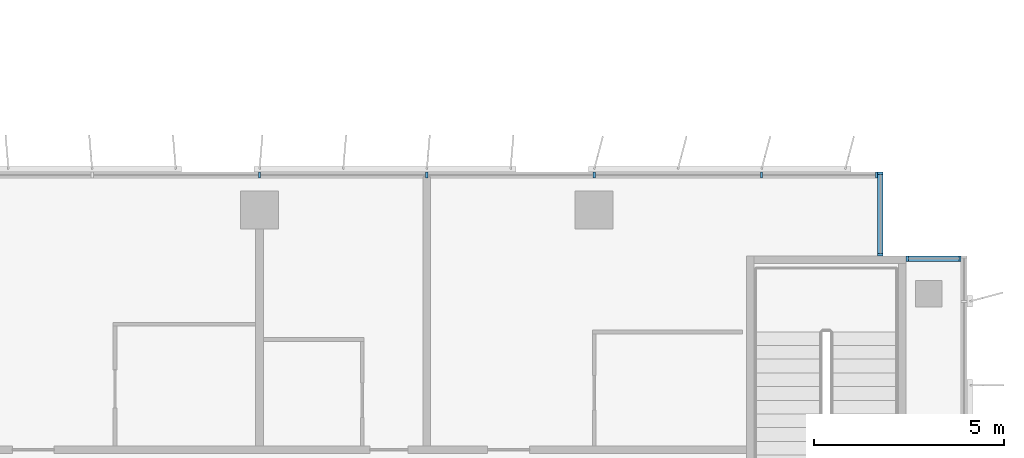
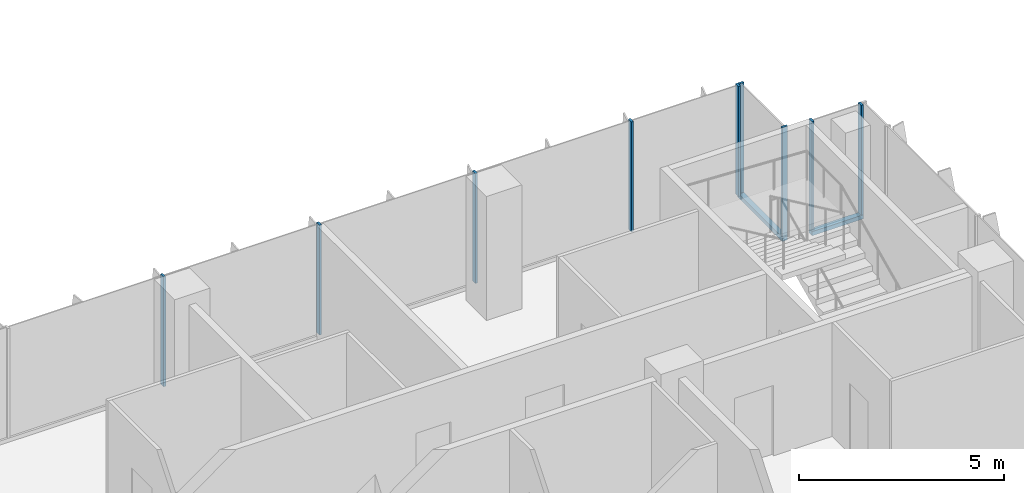
# One storey, part 4 of 20: 11 members, 3 elements without a shape of their own.
"""IFC4 building model written with IfcOpenShell, lengths in metres."""

import ifcopenshell
import ifcopenshell.guid

model = None  # the IFC model being written
_history = None  # IfcOwnerHistory: only IFC2X3 demands one
_inside = {}  # id of a spatial element -> (the spatial element, [elements in it])
_under = {}  # id of a project, library or spatial element -> (it, [spatial elements below it])
_declared = {}  # id of a project -> (the project, [libraries it declares])
_typed = {}  # id of a type object -> (the type object, [elements of that type])
_made_of = {}  # id of a material, layer set ... -> (it, [elements and type objects made of it])


def new_model(schema):
    """Start an empty IFC model of exactly this schema.

    Asked for "IFC4X3", IfcOpenShell would pick the latest addendum, in which some entities
    have other attributes; the version numbers below select the first issue.
    IFC2X3 requires an IfcOwnerHistory on every rooted entity: one is made here for all.
    """
    global model, _history
    if schema == "IFC4X3":
        model = ifcopenshell.file(schema_version=(4, 3, 0, 0))
    else:
        model = ifcopenshell.file(schema=schema)
    _inside.clear()
    _under.clear()
    _declared.clear()
    _typed.clear()
    _made_of.clear()
    _history = None
    if model.schema == "IFC2X3":
        org = make("IfcOrganization", Name="unknown")
        user = make(
            "IfcPersonAndOrganization",
            ThePerson=make("IfcPerson", FamilyName="unknown"),
            TheOrganization=org,
        )
        app = make(
            "IfcApplication",
            ApplicationDeveloper=org,
            Version="unknown",
            ApplicationFullName="unknown",
            ApplicationIdentifier="unknown",
        )
        _history = make(
            "IfcOwnerHistory",
            OwningUser=user,
            OwningApplication=app,
            ChangeAction="ADDED",
            CreationDate=0,
        )
    return model


def make(cls, **values):
    """One entity of the class cls with the attributes given. An attribute that is None is left unset."""
    return model.create_entity(
        cls, **{name: value for name, value in values.items() if value is not None}
    )


def rooted(cls, **values):
    """An entity with a GlobalId (a new one), such as an element, a storey or a relation."""
    return make(cls, GlobalId=ifcopenshell.guid.new(), OwnerHistory=_history, **values)


def si_unit(unit_type, name, prefix=None):
    """IfcSIUnit, for example si_unit("LENGTHUNIT", "METRE", prefix="MILLI")."""
    return make("IfcSIUnit", UnitType=unit_type, Prefix=prefix, Name=name)


def assignment(units):
    """IfcUnitAssignment: the units of a project."""
    return None if units is None else make("IfcUnitAssignment", Units=units)


def point(xyz):
    """IfcCartesianPoint."""
    return None if xyz is None else make("IfcCartesianPoint", Coordinates=xyz)


def direction(xyz):
    """IfcDirection."""
    return None if xyz is None else make("IfcDirection", DirectionRatios=xyz)


def frame(location, z_axis=None, x_axis=None):
    """IfcAxis2Placement3D, a coordinate frame: its origin and axes. An axis left out is left unset."""
    return make(
        "IfcAxis2Placement3D",
        Location=point(location),
        Axis=direction(z_axis),
        RefDirection=direction(x_axis),
    )


def frame_2d(location, x_axis=None):
    """IfcAxis2Placement2D, a coordinate frame in the plane: its origin and x axis."""
    return make(
        "IfcAxis2Placement2D", Location=point(location), RefDirection=direction(x_axis)
    )


def origin():
    """The frame at (0, 0, 0) with its axes left unset."""
    return frame((0.0, 0.0, 0.0))


def origin_2d():
    """The frame at (0, 0) in the plane with its x axis left unset."""
    return frame_2d((0.0, 0.0))


def place(relative_to, where):
    """IfcLocalPlacement: puts the frame where relative to a parent placement (None: the world)."""
    return make(
        "IfcLocalPlacement", PlacementRelTo=relative_to, RelativePlacement=where
    )


def context(
    kind, dimensions, precision=None, world=None, true_north=None, identifier=None
):
    """IfcGeometricRepresentationContext, for example the 3D "Model" context."""
    return make(
        "IfcGeometricRepresentationContext",
        ContextIdentifier=identifier,
        ContextType=kind,
        CoordinateSpaceDimension=dimensions,
        Precision=precision,
        WorldCoordinateSystem=world,
        TrueNorth=true_north,
    )


def subcontext(parent, identifier, kind, view, scale=None):
    """IfcGeometricRepresentationSubContext, for example "Body" below "Model"."""
    return make(
        "IfcGeometricRepresentationSubContext",
        ContextIdentifier=identifier,
        ContextType=kind,
        ParentContext=parent,
        TargetScale=scale,
        TargetView=view,
    )


def project(units=None, contexts=None):
    """IfcProject with its units and contexts."""
    return rooted(
        "IfcProject",
        Name="project",
        RepresentationContexts=contexts,
        UnitsInContext=assignment(units),
    )


def spatial(cls, under=None, at=None, **own):
    """A site, building, storey or space (cls), placed at a placement, below another one or the project."""
    s = rooted(cls, ObjectPlacement=at, **own)
    if under is not None:
        _under.setdefault(under.id(), (under, []))[1].append(s)
    return s


def profile(cls, at=None, kind="AREA", **sizes):
    """A parametric profile (cls). Its sizes go by their IFC names, for example OverallWidth=200.0."""
    return make(cls, ProfileType=kind, Position=at, **sizes)


def rectangle(**sizes):
    """IfcRectangleProfileDef."""
    return profile("IfcRectangleProfileDef", **sizes)


def extrude(swept, where, along, depth):
    """IfcExtrudedAreaSolid: the profile swept, set in the frame where, extruded along a direction by depth."""
    return make(
        "IfcExtrudedAreaSolid",
        SweptArea=swept,
        Position=where,
        ExtrudedDirection=direction(along),
        Depth=depth,
    )


def shape(context_of_items, identifier, shape_type, items):
    """IfcShapeRepresentation: the items that make up one representation, for example the "Body"."""
    return make(
        "IfcShapeRepresentation",
        ContextOfItems=context_of_items,
        RepresentationIdentifier=identifier,
        RepresentationType=shape_type,
        Items=items,
    )


def source(mapping_origin, context_of_items, identifier, shape_type, items):
    """IfcRepresentationMap: a shape defined once, which mapped items show again and again."""
    return make(
        "IfcRepresentationMap",
        MappingOrigin=mapping_origin,
        MappedRepresentation=shape(context_of_items, identifier, shape_type, items),
    )


def transform(
    local_origin,
    x_axis=None,
    y_axis=None,
    z_axis=None,
    scale=None,
    scale2=None,
    scale3=None,
    uniform=True,
):
    """IfcCartesianTransformationOperator3D, or its non-uniform kind. x_axis, y_axis, z_axis: its Axis1, 2, 3."""
    if uniform:
        return make(
            "IfcCartesianTransformationOperator3D",
            Axis1=direction(x_axis),
            Axis2=direction(y_axis),
            LocalOrigin=point(local_origin),
            Scale=scale,
            Axis3=direction(z_axis),
        )
    return make(
        "IfcCartesianTransformationOperator3DnonUniform",
        Axis1=direction(x_axis),
        Axis2=direction(y_axis),
        LocalOrigin=point(local_origin),
        Scale=scale,
        Axis3=direction(z_axis),
        Scale2=scale2,
        Scale3=scale3,
    )


def mapped(mapping_source, mapping_target):
    """IfcMappedItem: shows the shape of a source again, moved by a transform."""
    return make(
        "IfcMappedItem", MappingSource=mapping_source, MappingTarget=mapping_target
    )


def material(Name=None, Category=None):
    """IfcMaterial."""
    return make("IfcMaterial", Name=Name, Category=Category)


def material_profile(
    of_material, cross_section, Name=None, Category=None, Priority=None
):
    """IfcMaterialProfile: a cross section and its material."""
    return make(
        "IfcMaterialProfile",
        Name=Name,
        Material=of_material,
        Profile=cross_section,
        Priority=Priority,
        Category=Category,
    )


def profile_set(profiles, Name=None, composite=None):
    """IfcMaterialProfileSet."""
    return make(
        "IfcMaterialProfileSet",
        Name=Name,
        MaterialProfiles=profiles,
        CompositeProfile=composite,
    )


def made_of(thing, what):
    """Note that an element or type object is made of a material, layer set ...; save() writes the relation."""
    if what is not None:
        _made_of.setdefault(what.id(), (what, []))[1].append(thing)
    return thing


def type_object(cls, material=None, **own):
    """A type object (cls), such as IfcWallType, which elements share."""
    return made_of(rooted(cls, **own), material)


def element(
    cls,
    number,
    at=None,
    inside=None,
    cuts=None,
    type_object=None,
    material=None,
    context=None,
    identifier="Body",
    shape_type=None,
    held_by="IfcProductDefinitionShape",
    body=None,
    shapes=None,
    **own,
):
    """One element of the class cls, such as IfcWall. Its Tag is "e" and its number.

    at: its placement. inside: the storey or other place that contains it. cuts: it is an
    opening in that element (IfcRelVoidsElement). A single representation is given by context,
    identifier, shape_type and body (its items); several are given by shapes. held_by: the class
    of the entity that holds the representations. save() writes the other relations.
    """
    e = rooted(cls, Tag="e%d" % number, ObjectPlacement=at, **own)
    if body is not None:
        shapes = [shape(context, identifier, shape_type, body)]
    if shapes is not None:
        e.Representation = make(held_by, Representations=shapes)
    if inside is not None:
        _inside.setdefault(inside.id(), (inside, []))[1].append(e)
    if cuts is not None:
        rooted(
            "IfcRelVoidsElement", RelatingBuildingElement=cuts, RelatedOpeningElement=e
        )
    if type_object is not None:
        _typed.setdefault(type_object.id(), (type_object, []))[1].append(e)
    return made_of(e, material)


def aggregate(whole, parts):
    """IfcRelAggregates: a whole, such as a stair, and the parts it consists of."""
    return rooted("IfcRelAggregates", RelatingObject=whole, RelatedObjects=parts)


def save(model, path):
    """Write the relations noted so far, then the file.

    IfcRelAggregates (storeys below a building ...), IfcRelContainedInSpatialStructure (elements
    in a storey), IfcRelDefinesByType, IfcRelAssociatesMaterial and IfcRelDeclares: one each for
    every whole, place, type object, material and project.
    """
    for whole, parts in _under.values():
        aggregate(whole, parts)
    for where, things in _inside.values():
        rooted(
            "IfcRelContainedInSpatialStructure",
            RelatedElements=things,
            RelatingStructure=where,
        )
    for kind, things in _typed.values():
        rooted("IfcRelDefinesByType", RelatedObjects=things, RelatingType=kind)
    for what, things in _made_of.values():
        rooted("IfcRelAssociatesMaterial", RelatedObjects=things, RelatingMaterial=what)
    for by, libraries in _declared.values():
        rooted("IfcRelDeclares", RelatingContext=by, RelatedDefinitions=libraries)
    model.write(path)


model = new_model("IFC4")

# Units and contexts
model_context = context("Model", 3, precision=1e-05, world=origin(), true_north=direction((0.0, 1.0)))
body_context = subcontext(model_context, "Body", "Model", "MODEL_VIEW")
ifc_project = project(units=[si_unit("LENGTHUNIT", "METRE"), si_unit("AREAUNIT", "SQUARE_METRE"), si_unit("VOLUMEUNIT", "CUBIC_METRE"), si_unit("PLANEANGLEUNIT", "RADIAN"), si_unit("MASSUNIT", "GRAM", prefix="KILO")], contexts=[model_context])

# Site, building, storey
site_placement = place(None, origin())
site = spatial("IfcSite", under=ifc_project, at=site_placement, CompositionType="ELEMENT")
building_placement = place(site_placement, origin())
building = spatial("IfcBuilding", under=site, at=building_placement, Name="Kemantara Hotel Tower", CompositionType="ELEMENT")
storey_placement = place(building_placement, frame((0.0, 0.0, 186.39990234375)))
storey = spatial("IfcBuildingStorey", under=building, at=storey_placement, Name="L46", CompositionType="ELEMENT", Elevation=186.39990234375)

# Curtain wall, member
ifc_material_1 = material(Name="Low-E tinted double insulated glass 36 mm", Category="glass")
curtain_wall_type = type_object("IfcCurtainWallType", Name="TOWER CURTAIN WALL, FRONT FACES", PredefinedType="USERDEFINED", material=ifc_material_1)
curtain_wall_1_placement = place(storey_placement, origin())
curtain_wall_1 = element("IfcCurtainWall", 1, at=curtain_wall_1_placement, inside=storey, type_object=curtain_wall_type, Name="CW4 L46 T3-R12-1", ObjectType="TOWER CURTAIN WALL, FRONT FACES", PredefinedType="USERDEFINED")
ifc_material_2 = material(Name="Aluminium 6063-T6 bronze anodised", Category="aluminium")
ifc_material_profile_1 = material_profile(ifc_material_2, rectangle(XDim=0.14990234375, YDim=0.1201171875, at=origin_2d()), Name="TOWER CURTAIN WALL, FRONT FACES TRANSOM")
ifc_profile_set_1 = profile_set([ifc_material_profile_1], Name="Aluminium 6063-T6 bronze anodised")
member_type_1 = type_object("IfcMemberType", Name="TOWER CURTAIN WALL, FRONT FACES TRANSOM", PredefinedType="USERDEFINED", material=ifc_profile_set_1)
member_1_placement = place(storey_placement, frame((63.449951171875, 19.72509765625, 0.06005859375), z_axis=(-1.0, 0.0, 0.0), x_axis=(0.0, -1.0, 0.0)))
member_1 = element("IfcMember", 2, at=member_1_placement, type_object=member_type_1, Name="CW4 sill transom T3-R12-1", ObjectType="TRANSOM", PredefinedType="USERDEFINED", context=body_context, shape_type="SweptSolid", body=[
    extrude(rectangle(XDim=0.14990234375, YDim=0.1201171875, at=origin_2d()), origin(), (0.0, 0.0, 1.0), 1.449951171875),
])

curtain_wall_2_placement = place(storey_placement, origin())
curtain_wall_2 = element("IfcCurtainWall", 3, at=curtain_wall_2_placement, inside=storey, type_object=curtain_wall_type, Name="CW4 L46 T3-R13-1", ObjectType="TOWER CURTAIN WALL, FRONT FACES", PredefinedType="USERDEFINED")
member_2_placement = place(storey_placement, frame((61.324951171875, 19.800048828125, 0.06005859375), z_axis=(0.0, 1.0, 0.0), x_axis=(-1.0, 0.0, 0.0)))
member_2 = element("IfcMember", 4, at=member_2_placement, type_object=member_type_1, Name="CW4 sill transom T3-R13-1", ObjectType="TRANSOM", PredefinedType="USERDEFINED", context=body_context, shape_type="SweptSolid", body=[
    extrude(rectangle(XDim=0.14990234375, YDim=0.1201171875, at=origin_2d()), origin(), (0.0, 0.0, 1.0), 2.199951171875),
])

# Curtain wall, members
curtain_wall_3_placement = place(storey_placement, origin())
curtain_wall_3 = element("IfcCurtainWall", 5, at=curtain_wall_3_placement, inside=storey, type_object=curtain_wall_type, Name="CW4 L46 T3-R14-1", ObjectType="TOWER CURTAIN WALL, FRONT FACES", PredefinedType="USERDEFINED")
ifc_material_profile_2 = material_profile(ifc_material_2, rectangle(XDim=0.14990234375, YDim=0.06005859375, at=origin_2d()), Name="TOWER CURTAIN WALL, FRONT FACES MULLION")
ifc_profile_set_2 = profile_set([ifc_material_profile_2], Name="Aluminium 6063-T6 bronze anodised")
member_type_2 = type_object("IfcMemberType", Name="TOWER CURTAIN WALL, FRONT FACES MULLION", PredefinedType="MULLION", material=ifc_profile_set_2)
shared_shape = source(origin(), body_context, "Body", "SweptSolid", [
    extrude(rectangle(XDim=0.14990234375, YDim=0.06005859375, at=origin_2d()), origin(), (0.0, 0.0, 1.0), 3.280029296875),
])
member_3_placement = place(storey_placement, frame((61.219970703125, 21.925048828125, 0.1201171875), z_axis=(0.0, 0.0, 1.0), x_axis=(0.0, -1.0, 0.0)))
member_3 = element("IfcMember", 6, at=member_3_placement, type_object=member_type_2, Name="CW4 mullion T3-R14-1.1", PredefinedType="MULLION", context=body_context, shape_type="MappedRepresentation", body=[
    mapped(shared_shape, transform((0.0, 0.0, 0.0))),
])
member_4_placement = place(storey_placement, frame((58.199951171875, 21.925048828125, 0.1201171875), z_axis=(0.0, 0.0, 1.0), x_axis=(0.0, -1.0, 0.0)))
member_4 = element("IfcMember", 7, at=member_4_placement, type_object=member_type_2, Name="CW4 mullion T3-R14-1.2", PredefinedType="MULLION", context=body_context, shape_type="MappedRepresentation", body=[
    mapped(shared_shape, transform((0.0, 0.0, 0.0))),
])
member_5_placement = place(storey_placement, frame((53.800048828125, 21.925048828125, 0.1201171875), z_axis=(0.0, 0.0, 1.0), x_axis=(0.0, -1.0, 0.0)))
member_5 = element("IfcMember", 8, at=member_5_placement, type_object=member_type_2, Name="CW4 mullion T3-R14-1.3", PredefinedType="MULLION", context=body_context, shape_type="MappedRepresentation", body=[
    mapped(shared_shape, transform((0.0, 0.0, 0.0))),
])
member_6_placement = place(storey_placement, frame((49.39990234375, 21.925048828125, 0.1201171875), z_axis=(0.0, 0.0, 1.0), x_axis=(0.0, -1.0, 0.0)))
member_6 = element("IfcMember", 9, at=member_6_placement, type_object=member_type_2, Name="CW4 mullion T3-R14-1.4", PredefinedType="MULLION", context=body_context, shape_type="MappedRepresentation", body=[
    mapped(shared_shape, transform((0.0, 0.0, 0.0))),
])
member_7_placement = place(storey_placement, frame((45.0, 21.925048828125, 0.1201171875), z_axis=(0.0, 0.0, 1.0), x_axis=(0.0, -1.0, 0.0)))
member_7 = element("IfcMember", 10, at=member_7_placement, type_object=member_type_2, Name="CW4 mullion T3-R14-1.5", PredefinedType="MULLION", context=body_context, shape_type="MappedRepresentation", body=[
    mapped(shared_shape, transform((0.0, 0.0, 0.0))),
])
aggregate(curtain_wall_3, [member_3, member_4, member_5, member_6, member_7])

# Member
member_8_placement = place(storey_placement, frame((63.419921875, 19.72509765625, 0.1201171875), z_axis=(0.0, 0.0, 1.0), x_axis=(0.0, -1.0, 0.0)))
member_8 = element("IfcMember", 11, at=member_8_placement, type_object=member_type_2, Name="CW4 mullion T3-R12-1.1", PredefinedType="MULLION", context=body_context, shape_type="MappedRepresentation", body=[
    mapped(shared_shape, transform((0.0, 0.0, 0.0))),
])

member_9_placement = place(storey_placement, frame((62.030029296875, 19.72509765625, 0.1201171875), z_axis=(0.0, 0.0, 1.0), x_axis=(0.0, -1.0, 0.0)))
member_9 = element("IfcMember", 12, at=member_9_placement, type_object=member_type_2, Name="CW4 mullion T3-R12-1.2", PredefinedType="MULLION", context=body_context, shape_type="MappedRepresentation", body=[
    mapped(shared_shape, transform((0.0, 0.0, 0.0))),
])

aggregate(curtain_wall_1, [member_1, member_8, member_9])

member_10_placement = place(storey_placement, frame((61.324951171875, 19.830078125, 0.1201171875), z_axis=(0.0, 0.0, 1.0), x_axis=(-1.0, 0.0, 0.0)))
member_10 = element("IfcMember", 13, at=member_10_placement, type_object=member_type_2, Name="CW4 mullion T3-R13-1.1", PredefinedType="MULLION", context=body_context, shape_type="MappedRepresentation", body=[
    mapped(shared_shape, transform((0.0, 0.0, 0.0))),
])

member_11_placement = place(storey_placement, frame((61.324951171875, 21.969970703125, 0.1201171875), z_axis=(0.0, 0.0, 1.0), x_axis=(-1.0, 0.0, 0.0)))
member_11 = element("IfcMember", 14, at=member_11_placement, type_object=member_type_2, Name="CW4 mullion T3-R13-1.2", PredefinedType="MULLION", context=body_context, shape_type="MappedRepresentation", body=[
    mapped(shared_shape, transform((0.0, 0.0, 0.0))),
])

aggregate(curtain_wall_2, [member_2, member_10, member_11])

save(model, "model.ifc")
